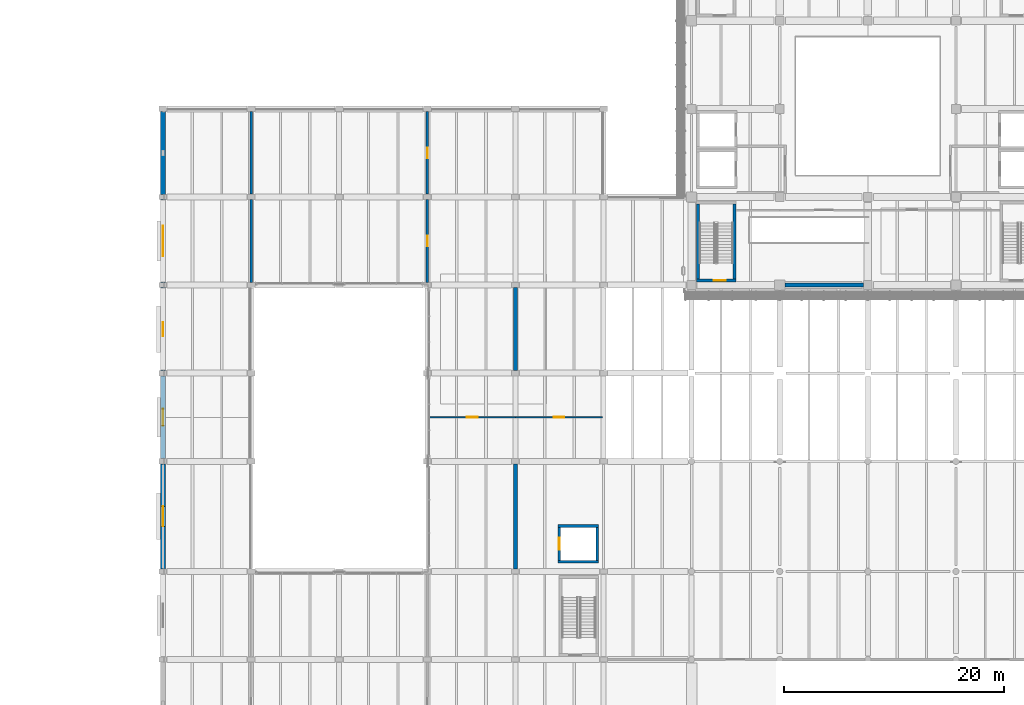
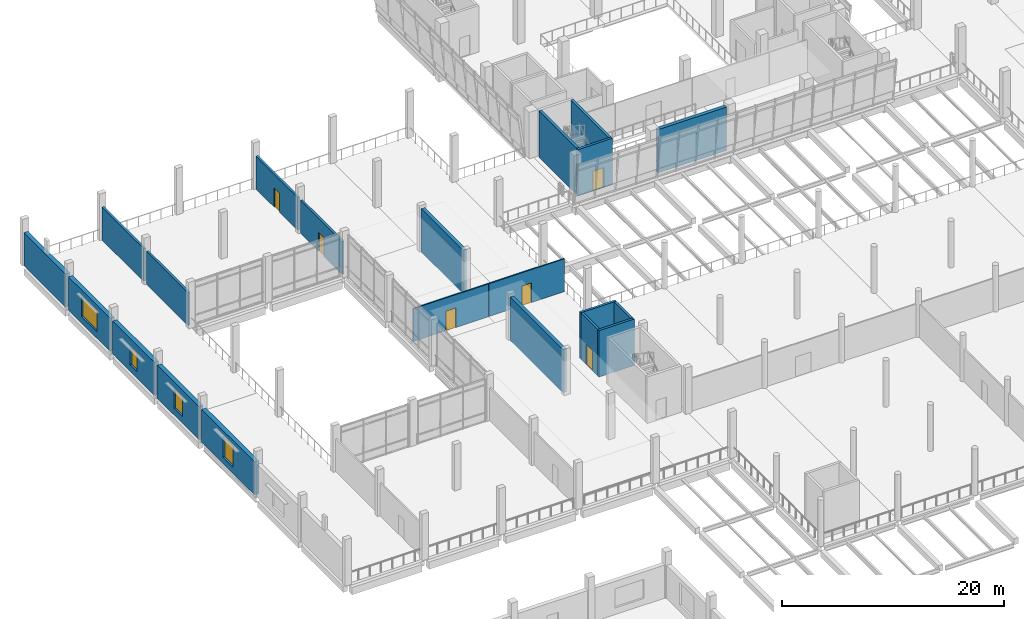
# One storey, part 35 of 61: 21 walls, 6 doors, 4 windows, 10 openings.
"""IFC4 building model written with IfcOpenShell, lengths in metres."""

from ifc_helpers import new_model, si_unit, direction, frame, frame_2d, origin, place, context, subcontext, project, spatial, rectangle, extrude, material, layer, layer_set, type_object, element, fill, save


model = new_model("IFC4")

# Units and contexts
model_context = context("Model", 3, precision=1e-05, world=origin(), true_north=direction((0.0, 1.0)))
body_context = subcontext(model_context, "Body", "Model", "MODEL_VIEW")
ifc_project = project(units=[si_unit("LENGTHUNIT", "METRE"), si_unit("AREAUNIT", "SQUARE_METRE"), si_unit("VOLUMEUNIT", "CUBIC_METRE"), si_unit("PLANEANGLEUNIT", "RADIAN"), si_unit("MASSUNIT", "GRAM", prefix="KILO")], contexts=[model_context])

# Site, building, storey
site_placement = place(None, origin())
site = spatial("IfcSite", under=ifc_project, at=site_placement, CompositionType="ELEMENT")
building_placement = place(site_placement, origin())
building = spatial("IfcBuilding", under=site, at=building_placement, Name="Pecanmere Concourse Central Library", CompositionType="ELEMENT")
storey_placement = place(building_placement, frame((0.0, 0.0, 5.39990234375)))
storey = spatial("IfcBuildingStorey", under=building, at=storey_placement, Name="L02", CompositionType="ELEMENT", Elevation=5.39990234375)

# Wall, opening, window
ifc_material_1 = material(Name="Texas cream limestone ashlar masonry", Category="masonry")
ifc_layer_1 = layer(ifc_material_1, 0.43994140625, Name="EW_LIME_440")
ifc_layer_set_1 = layer_set([ifc_layer_1], Name="Texas cream limestone ashlar masonry")
wall_type_1 = type_object("IfcWallType", Name="EW_LIME_440", PredefinedType="STANDARD", material=ifc_layer_set_1)
wall_1_placement = place(storey_placement, frame((24.0, 73.764892578125, 0.0), z_axis=(0.0, 0.0, 1.0), x_axis=(0.0, -1.0, 0.0)))
wall_1 = element("IfcWall", 1, at=wall_1_placement, inside=storey, type_object=wall_type_1, Name="Limestone Facade Wall L02-0148", PredefinedType="STANDARD", context=body_context, shape_type="SweptSolid", body=[
    extrude(rectangle(XDim=9.52978515625, YDim=0.43994140625, at=frame_2d((4.764892578125, 0.0))), origin(), (0.0, 0.0, 1.0), 3.64013671875),
])
opening_1_placement = place(wall_1_placement, frame((3.864990234375, 0.0, 0.719970703125)))
opening_1 = element("IfcOpeningElement", 2, at=opening_1_placement, cuts=wall_1, Name="Opening WN-04", PredefinedType="OPENING", context=body_context, shape_type="SweptSolid", body=[
    extrude(rectangle(XDim=1.800048828125, YDim=2.300048828125, at=frame_2d((0.89990234375, 1.14990234375))), frame((0.0, 0.23193359375, 0.0), z_axis=(0.0, -1.0, 0.0), x_axis=(1.0, 0.0, 0.0)), (0.0, 0.0, 1.0), 0.4638671875),
])
ifc_material_2 = material(Name="Low-iron clear insulated glazing", Category="glass")
window_type_1 = type_object("IfcWindowType", Name="WIN_1800x2300", PartitioningType="SINGLE_PANEL", PredefinedType="WINDOW", material=ifc_material_2)
window_1_placement = place(opening_1_placement, origin())
window_1 = element("IfcWindow", 3, at=window_1_placement, inside=storey, type_object=window_type_1, Name="WN-126", OverallHeight=2.300048828125, OverallWidth=1.800048828125, PartitioningType="SINGLE_PANEL", PredefinedType="WINDOW", context=body_context, shape_type="SweptSolid", body=[
    extrude(rectangle(XDim=1.800048828125, YDim=2.300048828125, at=frame_2d((0.89990234375, 1.14990234375))), frame((0.0, 0.030029296875, 0.0), z_axis=(0.0, -1.0, 0.0), x_axis=(1.0, 0.0, 0.0)), (0.0, 0.0, 1.0), 0.06005859375),
])
fill(opening_1, window_1)

wall_2_placement = place(storey_placement, frame((24.0, 81.764892578125, 0.0), z_axis=(0.0, 0.0, 1.0), x_axis=(0.0, -1.0, 0.0)))
wall_2 = element("IfcWall", 4, at=wall_2_placement, inside=storey, type_object=wall_type_1, Name="Limestone Facade Wall L02-0150", PredefinedType="STANDARD", context=body_context, shape_type="SweptSolid", body=[
    extrude(rectangle(XDim=7.52978515625, YDim=0.43994140625, at=frame_2d((3.764892578125, 0.0))), origin(), (0.0, 0.0, 1.0), 3.64013671875),
])
opening_2_placement = place(wall_2_placement, frame((3.014892578125, 0.0, 0.719970703125)))
opening_2 = element("IfcOpeningElement", 5, at=opening_2_placement, cuts=wall_2, Name="Opening WN-08", PredefinedType="OPENING", context=body_context, shape_type="SweptSolid", body=[
    extrude(rectangle(XDim=1.5, YDim=2.10009765625, at=frame_2d((0.75, 1.050048828125))), frame((0.0, 0.23193359375, 0.0), z_axis=(0.0, -1.0, 0.0), x_axis=(1.0, 0.0, 0.0)), (0.0, 0.0, 1.0), 0.4638671875),
])
ifc_material_3 = material(Name="Low-iron clear insulated glazing", Category="glass")
window_type_2 = type_object("IfcWindowType", Name="WIN_1500x2100", PartitioningType="SINGLE_PANEL", PredefinedType="WINDOW", material=ifc_material_3)
window_2_placement = place(opening_2_placement, origin())
window_2 = element("IfcWindow", 6, at=window_2_placement, inside=storey, type_object=window_type_2, Name="WN-128", OverallHeight=2.10009765625, OverallWidth=1.5, PartitioningType="SINGLE_PANEL", PredefinedType="WINDOW", context=body_context, shape_type="SweptSolid", body=[
    extrude(rectangle(XDim=1.5, YDim=2.10009765625, at=frame_2d((0.75, 1.050048828125))), frame((0.0, 0.030029296875, 0.0), z_axis=(0.0, -1.0, 0.0), x_axis=(1.0, 0.0, 0.0)), (0.0, 0.0, 1.0), 0.06005859375),
])
fill(opening_2, window_2)

wall_3_placement = place(storey_placement, frame((24.0, 89.764892578125, 0.0), z_axis=(0.0, 0.0, 1.0), x_axis=(0.0, -1.0, 0.0)))
wall_3 = element("IfcWall", 7, at=wall_3_placement, inside=storey, type_object=wall_type_1, Name="Limestone Facade Wall L02-0152", PredefinedType="STANDARD", context=body_context, shape_type="SweptSolid", body=[
    extrude(rectangle(XDim=7.52978515625, YDim=0.43994140625, at=frame_2d((3.764892578125, 0.0))), origin(), (0.0, 0.0, 1.0), 3.64013671875),
])
opening_3_placement = place(wall_3_placement, frame((3.139892578125, 0.0, 0.719970703125)))
opening_3 = element("IfcOpeningElement", 8, at=opening_3_placement, cuts=wall_3, Name="Opening WN-12", PredefinedType="OPENING", context=body_context, shape_type="SweptSolid", body=[
    extrude(rectangle(XDim=1.25, YDim=1.89990234375, at=frame_2d((0.625, 0.949951171875))), frame((0.0, 0.23193359375, 0.0), z_axis=(0.0, -1.0, 0.0), x_axis=(1.0, 0.0, 0.0)), (0.0, 0.0, 1.0), 0.4638671875),
])
ifc_material_4 = material(Name="Low-iron clear insulated glazing", Category="glass")
window_type_3 = type_object("IfcWindowType", Name="WIN_1250x1900", PartitioningType="SINGLE_PANEL", PredefinedType="WINDOW", material=ifc_material_4)
window_3_placement = place(opening_3_placement, origin())
window_3 = element("IfcWindow", 9, at=window_3_placement, inside=storey, type_object=window_type_3, Name="WN-130", OverallHeight=1.89990234375, OverallWidth=1.25, PartitioningType="SINGLE_PANEL", PredefinedType="WINDOW", context=body_context, shape_type="SweptSolid", body=[
    extrude(rectangle(XDim=1.25, YDim=1.89990234375, at=frame_2d((0.625, 0.949951171875))), frame((0.0, 0.030029296875, 0.0), z_axis=(0.0, -1.0, 0.0), x_axis=(1.0, 0.0, 0.0)), (0.0, 0.0, 1.0), 0.06005859375),
])
fill(opening_3, window_3)

wall_4_placement = place(storey_placement, frame((24.0, 97.764892578125, 0.0), z_axis=(0.0, 0.0, 1.0), x_axis=(0.0, -1.0, 0.0)))
wall_4 = element("IfcWall", 10, at=wall_4_placement, inside=storey, type_object=wall_type_1, Name="Limestone Facade Wall L02-0154", PredefinedType="STANDARD", context=body_context, shape_type="SweptSolid", body=[
    extrude(rectangle(XDim=7.52978515625, YDim=0.43994140625, at=frame_2d((3.764892578125, 0.0))), origin(), (0.0, 0.0, 1.0), 3.64013671875),
])
opening_4_placement = place(wall_4_placement, frame((2.364990234375, 0.0, 0.719970703125)))
opening_4 = element("IfcOpeningElement", 11, at=opening_4_placement, cuts=wall_4, Name="Opening WN-16", PredefinedType="OPENING", context=body_context, shape_type="SweptSolid", body=[
    extrude(rectangle(XDim=2.800048828125, YDim=2.199951171875, at=frame_2d((1.39990234375, 1.10009765625))), frame((0.0, 0.23193359375, 0.0), z_axis=(0.0, -1.0, 0.0), x_axis=(1.0, 0.0, 0.0)), (0.0, 0.0, 1.0), 0.4638671875),
])
ifc_material_5 = material(Name="Low-iron clear insulated glazing", Category="glass")
window_type_4 = type_object("IfcWindowType", Name="WIN_2800x2200", PartitioningType="SINGLE_PANEL", PredefinedType="WINDOW", material=ifc_material_5)
window_4_placement = place(opening_4_placement, origin())
window_4 = element("IfcWindow", 12, at=window_4_placement, inside=storey, type_object=window_type_4, Name="WN-132", OverallHeight=2.199951171875, OverallWidth=2.800048828125, PartitioningType="SINGLE_PANEL", PredefinedType="WINDOW", context=body_context, shape_type="SweptSolid", body=[
    extrude(rectangle(XDim=2.800048828125, YDim=2.199951171875, at=frame_2d((1.39990234375, 1.10009765625))), frame((0.0, 0.030029296875, 0.0), z_axis=(0.0, -1.0, 0.0), x_axis=(1.0, 0.0, 0.0)), (0.0, 0.0, 1.0), 0.06005859375),
])
fill(opening_4, window_4)

# Wall
wall_5_placement = place(storey_placement, frame((24.0, 105.764892578125, 0.0), z_axis=(0.0, 0.0, 1.0), x_axis=(0.0, -1.0, 0.0)))
element("IfcWall", 13, at=wall_5_placement, inside=storey, type_object=wall_type_1, Name="Limestone Facade Wall L02-0156", PredefinedType="STANDARD", context=body_context, shape_type="SweptSolid", body=[
    extrude(rectangle(XDim=7.52978515625, YDim=0.43994140625, at=frame_2d((3.764892578125, 0.0))), origin(), (0.0, 0.0, 1.0), 3.64013671875),
])

# Wall, opening, door
ifc_material_6 = material(Name="Fire-rated gypsum board on acoustic steel stud", Category="steel")
ifc_layer_2 = layer(ifc_material_6, 0.135009765625, Name="IW_PART_135")
ifc_layer_set_2 = layer_set([ifc_layer_2], Name="Fire-rated gypsum board on acoustic steel stud")
wall_type_2 = type_object("IfcWallType", Name="IW_PART_135", PredefinedType="PARTITIONING", material=ifc_layer_set_2)
wall_6_placement = place(storey_placement, frame((48.179931640625, 78.0, 0.0), z_axis=(0.0, 0.0, 1.0), x_axis=(1.0, 0.0, 0.0)))
wall_6 = element("IfcWall", 14, at=wall_6_placement, inside=storey, type_object=wall_type_2, Name="Interior Partition L02-0170", PredefinedType="PARTITIONING", context=body_context, shape_type="SweptSolid", body=[
    extrude(rectangle(XDim=7.820068359375, YDim=0.135009765625, at=frame_2d((3.91015625, 0.0))), origin(), (0.0, 0.0, 1.0), 3.610107421875),
])
opening_5_placement = place(wall_6_placement, frame((3.409912109375, 0.0, 0.0)))
opening_5 = element("IfcOpeningElement", 15, at=opening_5_placement, cuts=wall_6, Name="Opening DT-04", PredefinedType="OPENING", context=body_context, shape_type="SweptSolid", body=[
    extrude(rectangle(XDim=1.0, YDim=2.14990234375, at=frame_2d((0.5, 1.074951171875))), frame((0.0, 0.07958984375, 0.0), z_axis=(0.0, -1.0, 0.0), x_axis=(1.0, 0.0, 0.0)), (0.0, 0.0, 1.0), 0.158935546875),
])
ifc_material_7 = material(Name="Solid white oak architectural joinery")
door_type_1 = type_object("IfcDoorType", Name="DT-04", OperationType="SINGLE_SWING_RIGHT", PredefinedType="DOOR", material=ifc_material_7)
door_1_placement = place(opening_5_placement, frame((1.0, 0.0, 0.0), z_axis=(0.0, 0.0, 1.0), x_axis=(-1.0, 0.0, 0.0)))
door_1 = element("IfcDoor", 16, at=door_1_placement, inside=storey, type_object=door_type_1, Name="D-203", OperationType="SINGLE_SWING_RIGHT", OverallHeight=2.14990234375, OverallWidth=1.0, PredefinedType="DOOR", context=body_context, shape_type="SweptSolid", body=[
    extrude(rectangle(XDim=1.0, YDim=2.14990234375, at=frame_2d((0.5, 1.074951171875))), frame((0.0, 0.02490234375, 0.0), z_axis=(0.0, -1.0, 0.0), x_axis=(1.0, 0.0, 0.0)), (0.0, 0.0, 1.0), 0.050048828125),
])
fill(opening_5, door_1)

wall_7_placement = place(storey_placement, frame((56.02001953125, 78.0, 0.0), z_axis=(0.0, 0.0, 1.0), x_axis=(1.0, 0.0, 0.0)))
wall_7 = element("IfcWall", 17, at=wall_7_placement, inside=storey, type_object=wall_type_2, Name="Interior Partition L02-0171", PredefinedType="PARTITIONING", context=body_context, shape_type="SweptSolid", body=[
    extrude(rectangle(XDim=7.8798828125, YDim=0.135009765625, at=frame_2d((3.93994140625, 0.0))), origin(), (0.0, 0.0, 1.0), 3.610107421875),
])
opening_6_placement = place(wall_7_placement, frame((3.465087890625, 0.0, 0.0)))
opening_6 = element("IfcOpeningElement", 18, at=opening_6_placement, cuts=wall_7, Name="Opening DT-05", PredefinedType="OPENING", context=body_context, shape_type="SweptSolid", body=[
    extrude(rectangle(XDim=0.949951171875, YDim=2.14990234375, at=frame_2d((0.47509765625, 1.074951171875))), frame((0.0, 0.07958984375, 0.0), z_axis=(0.0, -1.0, 0.0), x_axis=(1.0, 0.0, 0.0)), (0.0, 0.0, 1.0), 0.158935546875),
])
ifc_material_8 = material(Name="Solid white oak architectural joinery")
door_type_2 = type_object("IfcDoorType", Name="DT-05", OperationType="SINGLE_SWING_LEFT", PredefinedType="DOOR", material=ifc_material_8)
door_2_placement = place(opening_6_placement, origin())
door_2 = element("IfcDoor", 19, at=door_2_placement, inside=storey, type_object=door_type_2, Name="D-204", OperationType="SINGLE_SWING_LEFT", OverallHeight=2.14990234375, OverallWidth=0.949951171875, PredefinedType="DOOR", context=body_context, shape_type="SweptSolid", body=[
    extrude(rectangle(XDim=0.949951171875, YDim=2.14990234375, at=frame_2d((0.47509765625, 1.074951171875))), frame((0.0, 0.02490234375, 0.0), z_axis=(0.0, -1.0, 0.0), x_axis=(1.0, 0.0, 0.0)), (0.0, 0.0, 1.0), 0.050048828125),
])
fill(opening_6, door_2)

ifc_material_9 = material(Name="Concrete masonry unit ASTM C90", Category="masonry")
ifc_layer_3 = layer(ifc_material_9, 0.22509765625, Name="IW_PLUMB_225")
ifc_layer_set_3 = layer_set([ifc_layer_3], Name="Concrete masonry unit ASTM C90")
wall_type_3 = type_object("IfcWallType", Name="IW_PLUMB_225", PredefinedType="PARTITIONING", material=ifc_layer_set_3)
wall_8_placement = place(storey_placement, frame((48.0, 90.25, 0.0), z_axis=(0.0, 0.0, 1.0), x_axis=(0.0, 1.0, 0.0)))
wall_8 = element("IfcWall", 20, at=wall_8_placement, inside=storey, type_object=wall_type_3, Name="Interior Partition L02-0144", PredefinedType="PARTITIONING", context=body_context, shape_type="SweptSolid", body=[
    extrude(rectangle(XDim=7.5, YDim=0.22509765625, at=frame_2d((3.75, 0.0))), origin(), (0.0, 0.0, 1.0), 3.610107421875),
])
opening_7_placement = place(wall_8_placement, frame((3.2900390625, 0.0, 0.0)))
opening_7 = element("IfcOpeningElement", 21, at=opening_7_placement, cuts=wall_8, Name="Opening DT-08", PredefinedType="OPENING", context=body_context, shape_type="SweptSolid", body=[
    extrude(rectangle(XDim=0.919921875, YDim=2.10009765625, at=frame_2d((0.4599609375, 1.050048828125))), frame((0.0, 0.12451171875, 0.0), z_axis=(0.0, -1.0, 0.0), x_axis=(1.0, 0.0, 0.0)), (0.0, 0.0, 1.0), 0.2490234375),
])
ifc_material_10 = material(Name="Solid white oak architectural joinery")
door_type_3 = type_object("IfcDoorType", Name="DT-08", OperationType="SINGLE_SWING_RIGHT", PredefinedType="DOOR", material=ifc_material_10)
door_3_placement = place(opening_7_placement, origin())
door_3 = element("IfcDoor", 22, at=door_3_placement, inside=storey, type_object=door_type_3, Name="D-192", OperationType="SINGLE_SWING_RIGHT", OverallHeight=2.10009765625, OverallWidth=0.919921875, PredefinedType="DOOR", context=body_context, shape_type="SweptSolid", body=[
    extrude(rectangle(XDim=0.919921875, YDim=2.10009765625, at=frame_2d((0.4599609375, 1.050048828125))), frame((0.0, 0.02490234375, 0.0), z_axis=(0.0, -1.0, 0.0), x_axis=(1.0, 0.0, 0.0)), (0.0, 0.0, 1.0), 0.050048828125),
])
fill(opening_7, door_3)

wall_9_placement = place(storey_placement, frame((48.0, 98.25, 0.0), z_axis=(0.0, 0.0, 1.0), x_axis=(0.0, 1.0, 0.0)))
wall_9 = element("IfcWall", 23, at=wall_9_placement, inside=storey, type_object=wall_type_3, Name="Interior Partition L02-0145", PredefinedType="PARTITIONING", context=body_context, shape_type="SweptSolid", body=[
    extrude(rectangle(XDim=7.5, YDim=0.22509765625, at=frame_2d((3.75, 0.0))), origin(), (0.0, 0.0, 1.0), 3.610107421875),
])
opening_8_placement = place(wall_9_placement, frame((3.2900390625, 0.0, 0.0)))
opening_8 = element("IfcOpeningElement", 24, at=opening_8_placement, cuts=wall_9, Name="Opening DT-07", PredefinedType="OPENING", context=body_context, shape_type="SweptSolid", body=[
    extrude(rectangle(XDim=0.919921875, YDim=2.10009765625, at=frame_2d((0.4599609375, 1.050048828125))), frame((0.0, 0.12451171875, 0.0), z_axis=(0.0, -1.0, 0.0), x_axis=(1.0, 0.0, 0.0)), (0.0, 0.0, 1.0), 0.2490234375),
])
ifc_material_11 = material(Name="Solid white oak architectural joinery")
door_type_4 = type_object("IfcDoorType", Name="DT-07", OperationType="SINGLE_SWING_LEFT", PredefinedType="DOOR", material=ifc_material_11)
door_4_placement = place(opening_8_placement, frame((0.919921875, 0.0, 0.0), z_axis=(0.0, 0.0, 1.0), x_axis=(-1.0, 0.0, 0.0)))
door_4 = element("IfcDoor", 25, at=door_4_placement, inside=storey, type_object=door_type_4, Name="D-193", OperationType="SINGLE_SWING_LEFT", OverallHeight=2.10009765625, OverallWidth=0.919921875, PredefinedType="DOOR", context=body_context, shape_type="SweptSolid", body=[
    extrude(rectangle(XDim=0.919921875, YDim=2.10009765625, at=frame_2d((0.4599609375, 1.050048828125))), frame((0.0, 0.02490234375, 0.0), z_axis=(0.0, -1.0, 0.0), x_axis=(1.0, 0.0, 0.0)), (0.0, 0.0, 1.0), 0.050048828125),
])
fill(opening_8, door_4)

# Walls
for number, where, z_axis, x_axis, name in (
    (26, (32.0, 90.25, 0.0), (0.0, 0.0, 1.0), (0.0, 1.0, 0.0), "Interior Partition L02-0146"),
    (27, (32.0, 98.25, 0.0), (0.0, 0.0, 1.0), (0.0, 1.0, 0.0), "Interior Partition L02-0147"),
):
    element("IfcWall", number, at=place(storey_placement, frame(where, z_axis=z_axis, x_axis=x_axis)), inside=storey, type_object=wall_type_3, Name=name, PredefinedType="PARTITIONING", context=body_context, shape_type="SweptSolid", body=[
        extrude(rectangle(XDim=7.5, YDim=0.22509765625, at=frame_2d((3.75, 0.0))), origin(), (0.0, 0.0, 1.0), 3.610107421875),
    ])
ifc_material_12 = material(Name="Concrete C40/50", Category="concrete")
ifc_layer_4 = layer(ifc_material_12, 0.35009765625, Name="WALL_SHR_350")
ifc_layer_set_4 = layer_set([ifc_layer_4], Name="Concrete C40/50")
wall_type_4 = type_object("IfcWallType", Name="WALL_SHR_350", PredefinedType="SHEAR", material=ifc_layer_set_4)
wall_10_placement = place(storey_placement, frame((56.0, 64.239990234375, 0.0), z_axis=(0.0, 0.0, 1.0), x_axis=(0.0, 1.0, 0.0)))
element("IfcWall", 28, at=wall_10_placement, inside=storey, type_object=wall_type_4, Name="Lateral Shear Wall L02-015", PredefinedType="SHEAR", context=body_context, shape_type="SweptSolid", body=[
    extrude(rectangle(XDim=9.52001953125, YDim=0.35009765625, at=frame_2d((4.760009765625, 0.0))), origin(), (0.0, 0.0, 1.0), 4.760009765625),
])
wall_11_placement = place(storey_placement, frame((56.0, 82.239990234375, 0.0), z_axis=(0.0, 0.0, 1.0), x_axis=(0.0, 1.0, 0.0)))
element("IfcWall", 29, at=wall_11_placement, inside=storey, type_object=wall_type_4, Name="Lateral Shear Wall L02-021", PredefinedType="SHEAR", context=body_context, shape_type="SweptSolid", body=[
    extrude(rectangle(XDim=7.52001953125, YDim=0.35009765625, at=frame_2d((3.760009765625, 0.0))), origin(), (0.0, 0.0, 1.0), 4.760009765625),
])
wall_12_placement = place(storey_placement, frame((80.4599609375, 90.0, 0.0), z_axis=(0.0, 0.0, 1.0), x_axis=(1.0, 0.0, 0.0)))
element("IfcWall", 30, at=wall_12_placement, inside=storey, type_object=wall_type_4, Name="Lateral Shear Wall L02-027", PredefinedType="SHEAR", context=body_context, shape_type="SweptSolid", body=[
    extrude(rectangle(XDim=7.14013671875, YDim=0.35009765625, at=frame_2d((3.570068359375, 0.0))), origin(), (0.0, 0.0, 1.0), 4.760009765625),
])
ifc_material_13 = material(Name="Concrete C40/50", Category="concrete")
ifc_layer_5 = layer(ifc_material_13, 0.239990234375, Name="WALL_SLD_240")
ifc_layer_set_5 = layer_set([ifc_layer_5], Name="Concrete C40/50")
wall_type_5 = type_object("IfcWallType", Name="WALL_SLD_240", PredefinedType="SOLIDWALL", material=ifc_layer_set_5)
for number, where, z_axis, x_axis, name in (
    (31, (59.860107421875, 64.8798828125, 0.0), (0.0, 0.0, 1.0), (1.0, 0.0, 0.0), "Hoistway Wall LP-04 L02-S"),
    (32, (59.860107421875, 68.1201171875, 0.0), (0.0, 0.0, 1.0), (1.0, 0.0, 0.0), "Hoistway Wall LP-04 L02-N"),
):
    element("IfcWall", number, at=place(storey_placement, frame(where, z_axis=z_axis, x_axis=x_axis)), inside=storey, type_object=wall_type_5, Name=name, PredefinedType="SOLIDWALL", context=body_context, shape_type="SweptSolid", body=[
        extrude(rectangle(XDim=3.679931640625, YDim=0.239990234375, at=frame_2d((1.83984375, 0.0))), origin(), (0.0, 0.0, 1.0), 5.10009765625),
    ])

# Wall, opening, door
wall_13_placement = place(storey_placement, frame((59.97998046875, 65.0, 0.0), z_axis=(0.0, 0.0, 1.0), x_axis=(0.0, 1.0, 0.0)))
wall_13 = element("IfcWall", 33, at=wall_13_placement, inside=storey, type_object=wall_type_5, Name="Hoistway Wall LP-04 L02-W", PredefinedType="SOLIDWALL", context=body_context, shape_type="SweptSolid", body=[
    extrude(rectangle(XDim=3.0, YDim=0.239990234375, at=frame_2d((1.5, 0.0))), origin(), (0.0, 0.0, 1.0), 5.10009765625),
])
opening_9_placement = place(wall_13_placement, frame((0.949951171875, 0.0, 0.0)))
opening_9 = element("IfcOpeningElement", 34, at=opening_9_placement, cuts=wall_13, Name="Opening LD-01", PredefinedType="OPENING", context=body_context, shape_type="SweptSolid", body=[
    extrude(rectangle(XDim=1.10009765625, YDim=2.199951171875, at=frame_2d((0.550048828125, 1.10009765625))), frame((0.0, 0.1318359375, 0.0), z_axis=(0.0, -1.0, 0.0), x_axis=(1.0, 0.0, 0.0)), (0.0, 0.0, 1.0), 0.263916015625),
])
ifc_material_14 = material(Name="Brushed stainless steel Grade 316", Category="steel")
door_type_5 = type_object("IfcDoorType", Name="LD-01", OperationType="DOUBLE_DOOR_SLIDING", PredefinedType="DOOR", material=ifc_material_14)
door_5_placement = place(opening_9_placement, origin())
door_5 = element("IfcDoor", 35, at=door_5_placement, inside=storey, type_object=door_type_5, Name="LD-LP-04-L02", OperationType="DOUBLE_DOOR_SLIDING", OverallHeight=2.199951171875, OverallWidth=1.10009765625, PredefinedType="DOOR", context=body_context, shape_type="SweptSolid", body=[
    extrude(rectangle(XDim=1.10009765625, YDim=2.199951171875, at=frame_2d((0.550048828125, 1.10009765625))), frame((0.0, 0.02490234375, 0.0), z_axis=(0.0, -1.0, 0.0), x_axis=(1.0, 0.0, 0.0)), (0.0, 0.0, 1.0), 0.050048828125),
])
fill(opening_9, door_5)

# Wall
wall_14_placement = place(storey_placement, frame((63.419921875, 65.0, 0.0), z_axis=(0.0, 0.0, 1.0), x_axis=(0.0, 1.0, 0.0)))
element("IfcWall", 36, at=wall_14_placement, inside=storey, type_object=wall_type_5, Name="Hoistway Wall LP-04 L02-E", PredefinedType="SOLIDWALL", context=body_context, shape_type="SweptSolid", body=[
    extrude(rectangle(XDim=3.0, YDim=0.239990234375, at=frame_2d((1.5, 0.0))), origin(), (0.0, 0.0, 1.0), 5.10009765625),
])

# Wall, opening, door
ifc_material_15 = material(Name="Concrete C40/50", Category="concrete")
ifc_layer_6 = layer(ifc_material_15, 0.260009765625, Name="WALL_SLD_260")
ifc_layer_set_6 = layer_set([ifc_layer_6], Name="Concrete C40/50")
wall_type_6 = type_object("IfcWallType", Name="WALL_SLD_260", PredefinedType="SOLIDWALL", material=ifc_layer_set_6)
wall_15_placement = place(storey_placement, frame((72.43994140625, 90.419921875, 0.0), z_axis=(0.0, 0.0, 1.0), x_axis=(1.0, 0.0, 0.0)))
wall_15 = element("IfcWall", 37, at=wall_15_placement, inside=storey, type_object=wall_type_6, Name="Core C1 South Wall L02", PredefinedType="SOLIDWALL", context=body_context, shape_type="SweptSolid", body=[
    extrude(rectangle(XDim=3.580078125, YDim=0.260009765625, at=frame_2d((1.7900390625, 0.0))), origin(), (0.0, 0.0, 1.0), 5.10009765625),
])
opening_10_placement = place(wall_15_placement, frame((1.56005859375, 0.0, 0.0)))
opening_10 = element("IfcOpeningElement", 38, at=opening_10_placement, cuts=wall_15, Name="Opening FD-02", PredefinedType="OPENING", context=body_context, shape_type="SweptSolid", body=[
    extrude(rectangle(XDim=1.10009765625, YDim=2.199951171875, at=frame_2d((0.550048828125, 1.10009765625))), frame((0.0, 0.14208984375, 0.0), z_axis=(0.0, -1.0, 0.0), x_axis=(1.0, 0.0, 0.0)), (0.0, 0.0, 1.0), 0.283935546875),
])
ifc_material_16 = material(Name="Painted architectural steel ASTM A36", Category="steel")
door_type_6 = type_object("IfcDoorType", Name="FD-02", OperationType="SINGLE_SWING_RIGHT", PredefinedType="DOOR", material=ifc_material_16)
door_6_placement = place(opening_10_placement, origin())
door_6 = element("IfcDoor", 39, at=door_6_placement, inside=storey, type_object=door_type_6, Name="D-003", OperationType="SINGLE_SWING_RIGHT", OverallHeight=2.199951171875, OverallWidth=1.10009765625, PredefinedType="DOOR", context=body_context, shape_type="SweptSolid", body=[
    extrude(rectangle(XDim=1.10009765625, YDim=2.199951171875, at=frame_2d((0.550048828125, 1.10009765625))), frame((0.0, 0.02490234375, 0.0), z_axis=(0.0, -1.0, 0.0), x_axis=(1.0, 0.0, 0.0)), (0.0, 0.0, 1.0), 0.050048828125),
])
fill(opening_10, door_6)

# Walls
for number, where, z_axis, x_axis, name in (
    (40, (72.570068359375, 90.550048828125, 0.0), (0.0, 0.0, 1.0), (0.0, 1.0, 0.0), "Core C1 W Wall L02"),
    (41, (75.889892578125, 90.550048828125, 0.0), (0.0, 0.0, 1.0), (0.0, 1.0, 0.0), "Core C1 E Wall L02"),
):
    element("IfcWall", number, at=place(storey_placement, frame(where, z_axis=z_axis, x_axis=x_axis)), inside=storey, type_object=wall_type_6, Name=name, PredefinedType="SOLIDWALL", context=body_context, shape_type="SweptSolid", body=[
        extrude(rectangle(XDim=6.820068359375, YDim=0.260009765625, at=frame_2d((3.41015625, 0.0))), origin(), (0.0, 0.0, 1.0), 5.10009765625),
    ])

save(model, "model.ifc")
